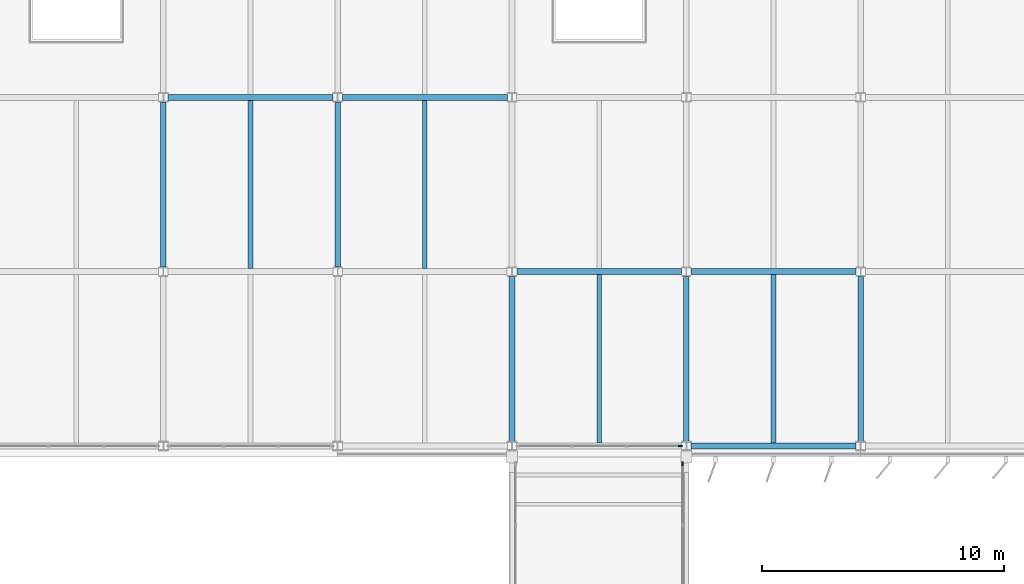
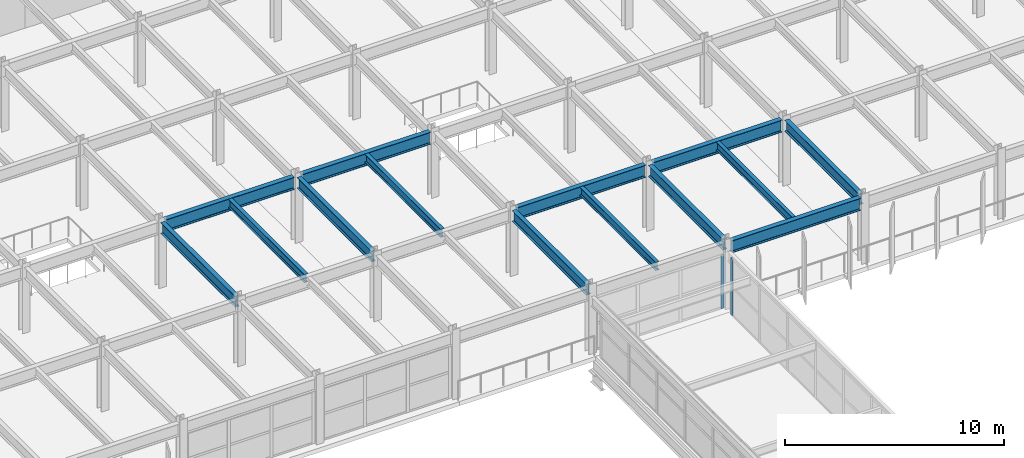
# One storey, part 28 of 93: 14 beams, 2 members, 2 elements without a shape of their own.
"""IFC4 building model written with IfcOpenShell, lengths in metres."""

from ifc_helpers import new_model, si_unit, direction, frame, origin, origin_2d, place, context, subcontext, project, spatial, rectangle, i_section, extrude, material, material_profile, profile_set, type_object, element, aggregate, save


model = new_model("IFC4")

# Units and contexts
model_context = context("Model", 3, precision=1e-05, world=origin(), true_north=direction((0.0, 1.0)))
body_context = subcontext(model_context, "Body", "Model", "MODEL_VIEW")
ifc_project = project(units=[si_unit("LENGTHUNIT", "METRE"), si_unit("AREAUNIT", "SQUARE_METRE"), si_unit("VOLUMEUNIT", "CUBIC_METRE"), si_unit("PLANEANGLEUNIT", "RADIAN"), si_unit("MASSUNIT", "GRAM", prefix="KILO")], contexts=[model_context])

# Site, building, storey
site_placement = place(None, origin())
site = spatial("IfcSite", under=ifc_project, at=site_placement, CompositionType="ELEMENT")
building_placement = place(site_placement, origin())
building = spatial("IfcBuilding", under=site, at=building_placement, Name="Vaelcorin Mobility Hub", CompositionType="ELEMENT")
storey_placement = place(building_placement, frame((0.0, 0.0, 5.39990234375)))
storey = spatial("IfcBuildingStorey", under=building, at=storey_placement, Name="L01", CompositionType="ELEMENT", Elevation=5.39990234375)

# Beams
ifc_material_1 = material(Name="Steel ASTM A992 Grade 50", Category="steel")
ifc_material_profile_1 = material_profile(ifc_material_1, i_section(OverallWidth=0.19189453125, OverallDepth=0.4619140625, WebThickness=0.010498046875, FlangeThickness=0.017578125, FilletRadius=0.012939453125, at=origin_2d()), Name="W18X60")
ifc_profile_set_1 = profile_set([ifc_material_profile_1], Name="Steel ASTM A992 Grade 50")
beam_type_1 = type_object("IfcBeamType", Name="BM-W18X60", PredefinedType="JOIST", material=ifc_profile_set_1)
for number, where, z_axis, x_axis, name in (
    (1, (75.60009765625, 84.125, 3.439208984375), (0.0, 1.0, 0.0), (-1.0, 0.0, 0.0), "L01 Beam V4-L01-J-06-02-1"),
    (2, (82.800048828125, 84.125, 3.439208984375), (0.0, 1.0, 0.0), (-1.0, 0.0, 0.0), "L01 Beam V4-L01-J-07-02-1"),
    (3, (90.0, 76.925048828125, 3.439208984375), (0.0, 1.0, 0.0), (-1.0, 0.0, 0.0), "L01 Beam V4-L01-J-08-01-1"),
    (4, (97.199951171875, 76.925048828125, 3.439208984375), (0.0, 1.0, 0.0), (-1.0, 0.0, 0.0), "L01 Beam V4-L01-J-09-01-1"),
):
    element("IfcBeam", number, at=place(storey_placement, frame(where, z_axis=z_axis, x_axis=x_axis)), inside=storey, type_object=beam_type_1, Name=name, PredefinedType="JOIST", context=body_context, shape_type="SweptSolid", body=[
        extrude(i_section(OverallWidth=0.19189453125, OverallDepth=0.4619140625, WebThickness=0.010498046875, FlangeThickness=0.017578125, FilletRadius=0.012939453125, at=origin_2d()), origin(), (0.0, 0.0, 1.0), 6.949951171875),
    ])
ifc_material_profile_2 = material_profile(ifc_material_1, i_section(OverallWidth=0.22900390625, OverallDepth=0.612060546875, WebThickness=0.011962890625, FlangeThickness=0.01953125, FilletRadius=0.014892578125, at=origin_2d()), Name="W24X84")
ifc_profile_set_2 = profile_set([ifc_material_profile_2], Name="Steel ASTM A992 Grade 50")
beam_type_2 = type_object("IfcBeamType", Name="BM-W24X84", PredefinedType="BEAM", material=ifc_profile_set_2)
for number, where, z_axis, x_axis, name in (
    (5, (72.0, 84.195068359375, 3.364013671875), (0.0, 1.0, 0.0), (-1.0, 0.0, 0.0), "L01 Beam V4-L01-GY-06-02"),
    (6, (79.199951171875, 84.195068359375, 3.364013671875), (0.0, 1.0, 0.0), (-1.0, 0.0, 0.0), "L01 Beam V4-L01-GY-07-02"),
    (7, (86.39990234375, 76.988037109375, 3.364013671875), (0.0, 1.0, 0.0), (-1.0, 0.0, 0.0), "L01 Beam V4-L01-GY-08-01"),
    (8, (93.60009765625, 76.988037109375, 3.364013671875), (0.0, 1.0, 0.0), (-1.0, 0.0, 0.0), "L01 Beam V4-L01-GY-09-01"),
    (9, (100.800048828125, 76.988037109375, 3.364013671875), (0.0, 1.0, 0.0), (-1.0, 0.0, 0.0), "L01 Beam V4-L01-GY-10-01"),
):
    element("IfcBeam", number, at=place(storey_placement, frame(where, z_axis=z_axis, x_axis=x_axis)), inside=storey, type_object=beam_type_2, Name=name, PredefinedType="BEAM", context=body_context, shape_type="SweptSolid", body=[
        extrude(i_section(OverallWidth=0.22900390625, OverallDepth=0.612060546875, WebThickness=0.011962890625, FlangeThickness=0.01953125, FilletRadius=0.014892578125, at=origin_2d()), origin(), (0.0, 0.0, 1.0), 6.81689453125),
    ])
ifc_material_profile_3 = material_profile(ifc_material_1, i_section(OverallWidth=0.25390625, OverallDepth=0.68310546875, WebThickness=0.012451171875, FlangeThickness=0.018798828125, FilletRadius=0.01611328125, at=origin_2d()), Name="W27X94")
ifc_profile_set_3 = profile_set([ifc_material_profile_3], Name="Steel ASTM A992 Grade 50")
beam_type_3 = type_object("IfcBeamType", Name="BM-W27X94", PredefinedType="BEAM", material=ifc_profile_set_3)
beam_1_placement = place(storey_placement, frame((93.7958984375, 76.800048828125, 3.328125), z_axis=(1.0, 0.0, 0.0), x_axis=(0.0, 1.0, 0.0)))
element("IfcBeam", 10, at=beam_1_placement, inside=storey, type_object=beam_type_3, Name="L01 Beam V4-L01-GX-01-09", PredefinedType="BEAM", context=body_context, shape_type="SweptSolid", body=[
    extrude(i_section(OverallWidth=0.25390625, OverallDepth=0.68310546875, WebThickness=0.012451171875, FlangeThickness=0.018798828125, FilletRadius=0.01611328125, at=origin_2d()), origin(), (0.0, 0.0, 1.0), 6.80810546875),
])
beam_2_placement = place(storey_placement, frame((86.597900390625, 84.0, 3.328125), z_axis=(1.0, 0.0, 0.0), x_axis=(0.0, 1.0, 0.0)))
element("IfcBeam", 11, at=beam_2_placement, inside=storey, type_object=beam_type_3, Name="L01 Beam V4-L01-GX-02-08", PredefinedType="BEAM", context=body_context, shape_type="SweptSolid", body=[
    extrude(i_section(OverallWidth=0.25390625, OverallDepth=0.68310546875, WebThickness=0.012451171875, FlangeThickness=0.018798828125, FilletRadius=0.01611328125, at=origin_2d()), origin(), (0.0, 0.0, 1.0), 6.80419921875),
])
beam_3_placement = place(storey_placement, frame((93.798095703125, 84.0, 3.328125), z_axis=(1.0, 0.0, 0.0), x_axis=(0.0, 1.0, 0.0)))
element("IfcBeam", 12, at=beam_3_placement, inside=storey, type_object=beam_type_3, Name="L01 Beam V4-L01-GX-02-09", PredefinedType="BEAM", context=body_context, shape_type="SweptSolid", body=[
    extrude(i_section(OverallWidth=0.25390625, OverallDepth=0.68310546875, WebThickness=0.012451171875, FlangeThickness=0.018798828125, FilletRadius=0.01611328125, at=origin_2d()), origin(), (0.0, 0.0, 1.0), 6.803955078125),
])
beam_4_placement = place(storey_placement, frame((72.196044921875, 91.199951171875, 3.328125), z_axis=(1.0, 0.0, 0.0), x_axis=(0.0, 1.0, 0.0)))
element("IfcBeam", 13, at=beam_4_placement, inside=storey, type_object=beam_type_3, Name="L01 Beam V4-L01-GX-03-06", PredefinedType="BEAM", context=body_context, shape_type="SweptSolid", body=[
    extrude(i_section(OverallWidth=0.25390625, OverallDepth=0.68310546875, WebThickness=0.012451171875, FlangeThickness=0.018798828125, FilletRadius=0.01611328125, at=origin_2d()), origin(), (0.0, 0.0, 1.0), 6.807861328125),
])
beam_5_placement = place(storey_placement, frame((79.39599609375, 91.199951171875, 3.328125), z_axis=(1.0, 0.0, 0.0), x_axis=(0.0, 1.0, 0.0)))
element("IfcBeam", 14, at=beam_5_placement, inside=storey, type_object=beam_type_3, Name="L01 Beam V4-L01-GX-03-07", PredefinedType="BEAM", context=body_context, shape_type="SweptSolid", body=[
    extrude(i_section(OverallWidth=0.25390625, OverallDepth=0.68310546875, WebThickness=0.012451171875, FlangeThickness=0.018798828125, FilletRadius=0.01611328125, at=origin_2d()), origin(), (0.0, 0.0, 1.0), 6.80810546875),
])

# Curtain wall, member
ifc_material_2 = material(Name="Anodised aluminium 6063-T6", Category="aluminium")
curtain_wall_type_1 = type_object("IfcCurtainWallType", Name="CW-MOB-A", PredefinedType="NOTDEFINED", material=ifc_material_2)
curtain_wall_1_placement = place(storey_placement, origin())
curtain_wall_1 = element("IfcCurtainWall", 15, at=curtain_wall_1_placement, inside=storey, type_object=curtain_wall_type_1, Name="L01 Curtain Wall CW-V4-L01-S-08", PredefinedType="NOTDEFINED")
ifc_material_profile_4 = material_profile(ifc_material_2, rectangle(XDim=0.06005859375, YDim=0.159912109375, at=origin_2d()), Name="ALU-M60X160")
ifc_profile_set_4 = profile_set([ifc_material_profile_4], Name="Anodised aluminium 6063-T6")
member_type = type_object("IfcMemberType", Name="CW-MULL-160", PredefinedType="MULLION", material=ifc_profile_set_4)
member_1_placement = place(storey_placement, frame((93.35009765625, 76.800048828125, 0.0), z_axis=(0.0, 0.0, 1.0), x_axis=(0.0, -1.0, 0.0)))
member_1 = element("IfcMember", 16, at=member_1_placement, type_object=member_type, Name="CW7 mullion 1", PredefinedType="MULLION", context=body_context, shape_type="SweptSolid", body=[
    extrude(rectangle(XDim=0.06005859375, YDim=0.159912109375, at=origin_2d()), origin(), (0.0, 0.0, 1.0), 2.97216796875),
])
aggregate(curtain_wall_1, [member_1])

curtain_wall_type_2 = type_object("IfcCurtainWallType", Name="CW-BRG-A", PredefinedType="NOTDEFINED", material=ifc_material_2)
curtain_wall_2_placement = place(storey_placement, origin())
curtain_wall_2 = element("IfcCurtainWall", 17, at=curtain_wall_2_placement, inside=storey, type_object=curtain_wall_type_2, Name="L01 Curtain Wall CW-LB2-E", PredefinedType="NOTDEFINED")
member_2_placement = place(storey_placement, frame((93.449951171875, 76.070068359375, 0.0), z_axis=(0.0, 0.0, 1.0), x_axis=(1.0, 0.0, 0.0)))
member_2 = element("IfcMember", 18, at=member_2_placement, type_object=member_type, Name="CW8 mullion 1", PredefinedType="MULLION", context=body_context, shape_type="SweptSolid", body=[
    extrude(rectangle(XDim=0.06005859375, YDim=0.159912109375, at=origin_2d()), origin(), (0.0, 0.0, 1.0), 3.2001953125),
])
aggregate(curtain_wall_2, [member_2])

save(model, "model.ifc")
